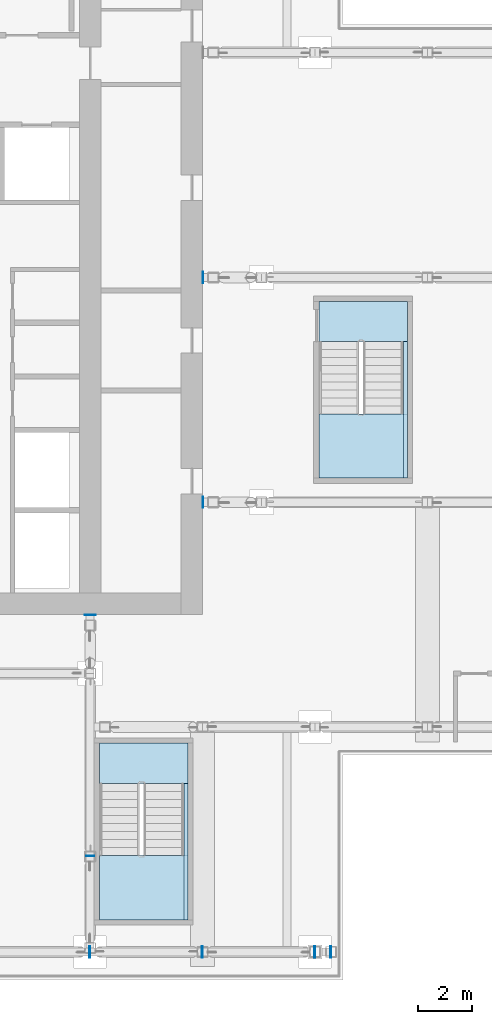
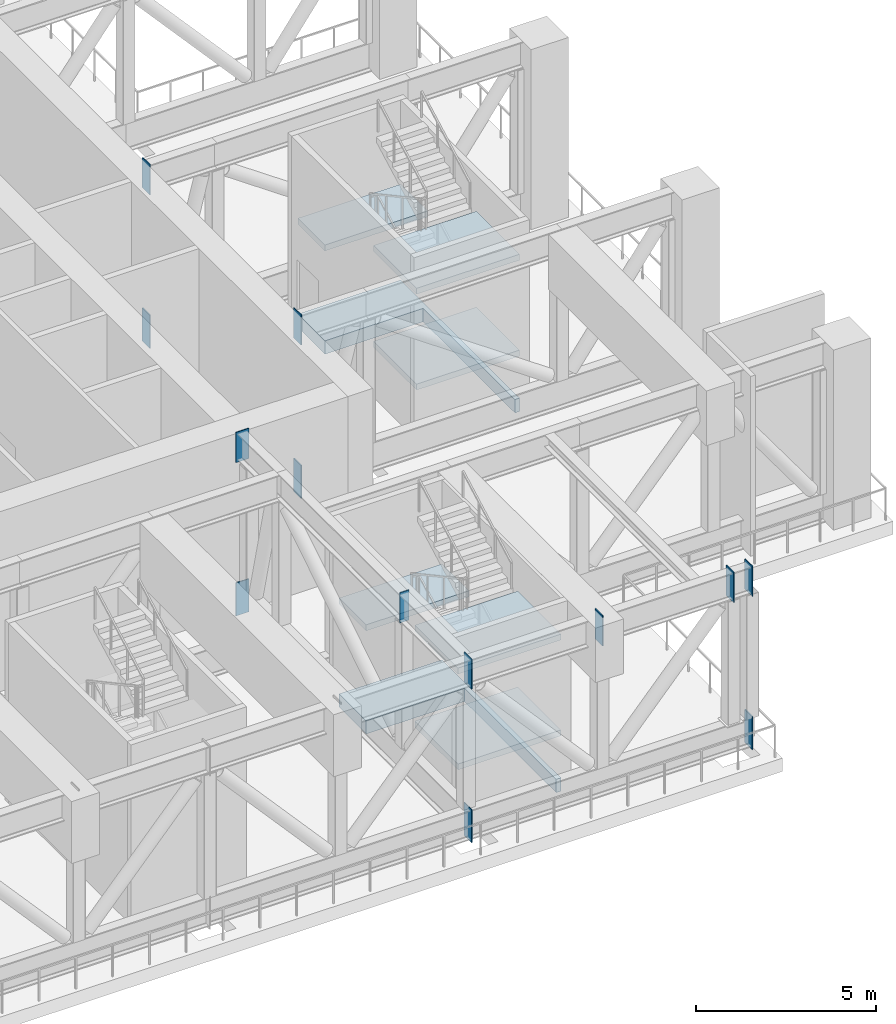
# One storey, part 8 of 23: 13 plates, 8 slabs, 2 elements without a shape of their own.
"""IFC4 building model written with IfcOpenShell, lengths in metres."""

from ifc_helpers import new_model, si_unit, direction, frame, origin, origin_2d, place, context, subcontext, project, spatial, polyline, rectangle, outline, extrude, material, layer, layer_set, type_object, element, aggregate, save


model = new_model("IFC4")

# Units and contexts
model_context = context("Model", 3, precision=1e-05, world=origin(), true_north=direction((0.0, 1.0)))
body_context = subcontext(model_context, "Body", "Model", "MODEL_VIEW")
ifc_project = project(units=[si_unit("LENGTHUNIT", "METRE"), si_unit("AREAUNIT", "SQUARE_METRE"), si_unit("VOLUMEUNIT", "CUBIC_METRE"), si_unit("PLANEANGLEUNIT", "RADIAN"), si_unit("MASSUNIT", "GRAM", prefix="KILO")], contexts=[model_context])

# Site, building, storey
site_placement = place(None, origin())
site = spatial("IfcSite", under=ifc_project, at=site_placement, CompositionType="ELEMENT")
building_placement = place(site_placement, origin())
building = spatial("IfcBuilding", under=site, at=building_placement, Name="Vermilion Ogive Tower", CompositionType="ELEMENT")
storey_placement = place(building_placement, frame((0.0, 0.0, 121.800048828125)))
storey = spatial("IfcBuildingStorey", under=building, at=storey_placement, Name="L31", CompositionType="ELEMENT", Elevation=121.800048828125)

# Plates
ifc_material_1 = material(Name="Steel S355", Category="steel")
ifc_layer_1 = layer(ifc_material_1, 0.030029296875)
ifc_layer_set_1 = layer_set([ifc_layer_1], Name="Cast-in embed plate 30")
plate_type_1 = type_object("IfcPlateType", Name="Cast-in embed plate 30", PredefinedType="USERDEFINED", material=ifc_layer_set_1)
plate_1_placement = place(storey_placement, frame((12.614990234375, -4.199951171875, -0.06005859375), z_axis=(0.0, 0.0, 1.0), x_axis=(1.0, 0.0, 0.0)))
element("IfcPlate", 1, at=plate_1_placement, inside=storey, type_object=plate_type_1, Name="Cast-in embed plate L31-TR-EWE-4.2-B1 end 1", ObjectType="EMBED PLATE", PredefinedType="USERDEFINED", context=body_context, shape_type="SweptSolid", body=[
    extrude(rectangle(XDim=0.030029296875, YDim=0.419921875, at=origin_2d()), origin(), (0.0, 0.0, 1.0), 1.1201171875),
])
plate_2_placement = place(storey_placement, frame((12.614990234375, -4.199951171875, 5.139892578125), z_axis=(0.0, 0.0, 1.0), x_axis=(1.0, 0.0, 0.0)))
element("IfcPlate", 2, at=plate_2_placement, inside=storey, type_object=plate_type_1, Name="Cast-in embed plate L31-TR-EWE-4.2-T3 end 1", ObjectType="EMBED PLATE", PredefinedType="USERDEFINED", context=body_context, shape_type="SweptSolid", body=[
    extrude(rectangle(XDim=0.030029296875, YDim=0.419921875, at=origin_2d()), origin(), (0.0, 0.0, 1.0), 1.02001953125),
])
plate_3_placement = place(storey_placement, frame((12.614990234375, 4.199951171875, -0.06005859375), z_axis=(0.0, 0.0, 1.0), x_axis=(1.0, 0.0, 0.0)))
element("IfcPlate", 3, at=plate_3_placement, inside=storey, type_object=plate_type_1, Name="Cast-in embed plate L31-TR-EWE+4.2-B1 end 1", ObjectType="EMBED PLATE", PredefinedType="USERDEFINED", context=body_context, shape_type="SweptSolid", body=[
    extrude(rectangle(XDim=0.030029296875, YDim=0.419921875, at=origin_2d()), origin(), (0.0, 0.0, 1.0), 1.1201171875),
])
plate_4_placement = place(storey_placement, frame((12.614990234375, 4.199951171875, 5.139892578125), z_axis=(0.0, 0.0, 1.0), x_axis=(1.0, 0.0, 0.0)))
element("IfcPlate", 4, at=plate_4_placement, inside=storey, type_object=plate_type_1, Name="Cast-in embed plate L31-TR-EWE+4.2-T3 end 1", ObjectType="EMBED PLATE", PredefinedType="USERDEFINED", context=body_context, shape_type="SweptSolid", body=[
    extrude(rectangle(XDim=0.030029296875, YDim=0.419921875, at=origin_2d()), origin(), (0.0, 0.0, 1.0), 1.02001953125),
])
plate_5_placement = place(storey_placement, frame((8.39990234375, -8.4150390625, -0.06005859375), z_axis=(0.0, 0.0, 1.0), x_axis=(1.0, 0.0, 0.0)))
element("IfcPlate", 5, at=plate_5_placement, inside=storey, type_object=plate_type_1, Name="Cast-in embed plate L31-TR-NS+8.4-B1 end 1", ObjectType="EMBED PLATE", PredefinedType="USERDEFINED", context=body_context, shape_type="SweptSolid", body=[
    extrude(rectangle(XDim=0.419921875, YDim=0.030029296875, at=origin_2d()), origin(), (0.0, 0.0, 1.0), 1.1201171875),
])
plate_6_placement = place(storey_placement, frame((8.39990234375, -8.4150390625, 5.139892578125), z_axis=(0.0, 0.0, 1.0), x_axis=(1.0, 0.0, 0.0)))
element("IfcPlate", 6, at=plate_6_placement, inside=storey, type_object=plate_type_1, Name="Cast-in embed plate L31-TR-NS+8.4-T3 end 1", ObjectType="EMBED PLATE", PredefinedType="USERDEFINED", context=body_context, shape_type="SweptSolid", body=[
    extrude(rectangle(XDim=0.419921875, YDim=0.030029296875, at=origin_2d()), origin(), (0.0, 0.0, 1.0), 1.02001953125),
])
plate_7_placement = place(storey_placement, frame((8.39990234375, -17.418212890625, 5.139892578125), z_axis=(0.0, 0.0, 1.0), x_axis=(1.0, 0.0, 0.0)))
element("IfcPlate", 7, at=plate_7_placement, inside=storey, type_object=plate_type_1, Name="Cast-in embed plate L31-TR-NS+8.4-T4 end 2", ObjectType="EMBED PLATE", PredefinedType="USERDEFINED", context=body_context, shape_type="SweptSolid", body=[
    extrude(rectangle(XDim=0.300048828125, YDim=0.030029296875, at=origin_2d()), origin(), (0.0, 0.0, 1.0), 1.02001953125),
])
ifc_material_2 = material(Name="Steel S355", Category="steel")
ifc_layer_2 = layer(ifc_material_2, 0.030029296875)
ifc_layer_set_2 = layer_set([ifc_layer_2], Name="Connection end plate 30")
plate_type_2 = type_object("IfcPlateType", Name="Connection end plate 30", PredefinedType="USERDEFINED", material=ifc_layer_set_2)
for number, where, z_axis, x_axis, name in (
    (8, (8.385009765625, -21.0, -0.06005859375), (0.0, 0.0, 1.0), (1.0, 0.0, 0.0), "End plate L31-TR-BELT-B4 end 2"),
    (9, (17.385009765625, -21.0, -0.06005859375), (0.0, 0.0, 1.0), (1.0, 0.0, 0.0), "End plate L31-TR-BELT-B5 end 2"),
):
    element("IfcPlate", number, at=place(storey_placement, frame(where, z_axis=z_axis, x_axis=x_axis)), inside=storey, type_object=plate_type_2, Name=name, ObjectType="END PLATE", PredefinedType="USERDEFINED", context=body_context, shape_type="SweptSolid", body=[
        extrude(rectangle(XDim=0.030029296875, YDim=0.419921875, at=origin_2d()), origin(), (0.0, 0.0, 1.0), 1.1201171875),
    ])
for number, where, z_axis, x_axis, name in (
    (10, (8.385009765625, -21.0, 5.139892578125), (0.0, 0.0, 1.0), (1.0, 0.0, 0.0), "End plate L31-TR-BELT-T12 end 2"),
    (11, (12.5849609375, -21.0, 5.139892578125), (0.0, 0.0, 1.0), (1.0, 0.0, 0.0), "End plate L31-TR-BELT-T13 end 2"),
    (12, (16.784912109375, -21.0, 5.139892578125), (0.0, 0.0, 1.0), (1.0, 0.0, 0.0), "End plate L31-TR-BELT-T14 end 2"),
    (13, (17.385009765625, -21.0, 5.139892578125), (0.0, 0.0, 1.0), (1.0, 0.0, 0.0), "End plate L31-TR-BELT-T15 end 2"),
):
    element("IfcPlate", number, at=place(storey_placement, frame(where, z_axis=z_axis, x_axis=x_axis)), inside=storey, type_object=plate_type_2, Name=name, ObjectType="END PLATE", PredefinedType="USERDEFINED", context=body_context, shape_type="SweptSolid", body=[
        extrude(rectangle(XDim=0.030029296875, YDim=0.419921875, at=origin_2d()), origin(), (0.0, 0.0, 1.0), 1.02001953125),
    ])

# Slabs
ifc_material_3 = material(Name="Concrete B40", Category="concrete")
ifc_layer_3 = layer(ifc_material_3, 0.449951171875)
ifc_layer_set_3 = layer_set([ifc_layer_3], Name="Core floor slab 450 B40")
slab_type_1 = type_object("IfcSlabType", Name="Core floor slab 450 B40", PredefinedType="FLOOR", material=ifc_layer_set_3)
slab_1_placement = place(storey_placement, frame((0.0, 0.0, -0.449951171875)))
element("IfcSlab", 14, at=slab_1_placement, inside=storey, type_object=slab_type_1, Name="L31-SF-ST5-1", PredefinedType="FLOOR", context=body_context, shape_type="SweptSolid", body=[
    extrude(outline(polyline([(8.75, -13.199951171875), (8.75, -14.701904296875), (10.25, -14.701904296875), (10.25, -14.699951171875), (10.39990234375, -14.699951171875), (10.39990234375, -14.701904296875), (11.89990234375, -14.701904296875), (11.89990234375, -19.800048828125), (12.050048828125, -19.800048828125), (12.050048828125, -13.199951171875), (8.75, -13.199951171875)])), origin(), (0.0, 0.0, 1.0), 0.449951171875),
])
slab_2_placement = place(storey_placement, frame((0.0, 0.0, -0.449951171875)))
element("IfcSlab", 15, at=slab_2_placement, inside=storey, type_object=slab_type_1, Name="L31-SF-ST8-1", PredefinedType="FLOOR", context=body_context, shape_type="SweptSolid", body=[
    extrude(outline(polyline([(16.949951171875, 3.300048828125), (16.949951171875, 1.798095703125), (18.449951171875, 1.798095703125), (18.449951171875, 1.800048828125), (18.60009765625, 1.800048828125), (18.60009765625, 1.798095703125), (20.10009765625, 1.798095703125), (20.10009765625, -3.300048828125), (20.25, -3.300048828125), (20.25, 3.300048828125), (16.949951171875, 3.300048828125)])), origin(), (0.0, 0.0, 1.0), 0.449951171875),
])

# Stair, slabs
ifc_material_4 = material(Name="Concrete B40", Category="concrete")
stair_type = type_object("IfcStairType", Name="Exit stair 1500", PredefinedType="HALF_TURN_STAIR", material=ifc_material_4)
stair_1_placement = place(storey_placement, origin())
stair_1 = element("IfcStair", 16, at=stair_1_placement, inside=storey, type_object=stair_type, Name="L31 Exit Stair ST5", PredefinedType="HALF_TURN_STAIR")
ifc_material_5 = material(Name="Concrete B40", Category="concrete")
ifc_layer_4 = layer(ifc_material_5, 0.199951171875)
ifc_layer_set_4 = layer_set([ifc_layer_4], Name="Stair landing 200")
slab_type_2 = type_object("IfcSlabType", Name="Stair landing 200", PredefinedType="LANDING", material=ifc_layer_set_4)
slab_3_placement = place(storey_placement, frame((0.0, 0.0, 1.425048828125)))
slab_3 = element("IfcSlab", 17, at=slab_3_placement, type_object=slab_type_2, Name="ST5 landing 1", PredefinedType="LANDING", context=body_context, shape_type="SweptSolid", body=[
    extrude(outline(polyline([(12.050048828125, -17.39990234375), (11.89990234375, -17.39990234375), (11.89990234375, -17.39794921875), (10.39990234375, -17.39794921875), (10.39990234375, -17.39990234375), (10.25, -17.39990234375), (10.25, -17.39794921875), (8.75, -17.39794921875), (8.75, -19.800048828125), (12.050048828125, -19.800048828125), (12.050048828125, -17.39990234375)])), origin(), (0.0, 0.0, 1.0), 0.199951171875),
])
slab_4_placement = place(storey_placement, frame((0.0, 0.0, 3.050048828125)))
slab_4 = element("IfcSlab", 18, at=slab_4_placement, type_object=slab_type_2, Name="ST5 landing 2", PredefinedType="LANDING", context=body_context, shape_type="SweptSolid", body=[
    extrude(outline(polyline([(8.75, -13.199951171875), (8.75, -14.701904296875), (10.25, -14.701904296875), (10.25, -14.699951171875), (10.39990234375, -14.699951171875), (10.39990234375, -14.701904296875), (11.89990234375, -14.701904296875), (11.89990234375, -14.699951171875), (12.050048828125, -14.699951171875), (12.050048828125, -13.199951171875), (8.75, -13.199951171875)])), origin(), (0.0, 0.0, 1.0), 0.199951171875),
])
slab_5_placement = place(storey_placement, frame((0.0, 0.0, 4.675048828125)))
slab_5 = element("IfcSlab", 19, at=slab_5_placement, type_object=slab_type_2, Name="ST5 landing 3", PredefinedType="LANDING", context=body_context, shape_type="SweptSolid", body=[
    extrude(outline(polyline([(12.050048828125, -17.39990234375), (11.89990234375, -17.39990234375), (11.89990234375, -17.39794921875), (10.39990234375, -17.39794921875), (10.39990234375, -17.39990234375), (10.25, -17.39990234375), (10.25, -17.39794921875), (8.75, -17.39794921875), (8.75, -19.800048828125), (12.050048828125, -19.800048828125), (12.050048828125, -17.39990234375)])), origin(), (0.0, 0.0, 1.0), 0.199951171875),
])
aggregate(stair_1, [slab_3, slab_4, slab_5])

stair_2_placement = place(storey_placement, origin())
stair_2 = element("IfcStair", 20, at=stair_2_placement, inside=storey, type_object=stair_type, Name="L31 Exit Stair ST8", PredefinedType="HALF_TURN_STAIR")
slab_6_placement = place(storey_placement, frame((0.0, 0.0, 1.425048828125)))
slab_6 = element("IfcSlab", 21, at=slab_6_placement, type_object=slab_type_2, Name="ST8 landing 1", PredefinedType="LANDING", context=body_context, shape_type="SweptSolid", body=[
    extrude(outline(polyline([(20.25, -0.89990234375), (20.10009765625, -0.89990234375), (20.10009765625, -0.89794921875), (18.60009765625, -0.89794921875), (18.60009765625, -0.89990234375), (18.449951171875, -0.89990234375), (18.449951171875, -0.89794921875), (16.949951171875, -0.89794921875), (16.949951171875, -3.300048828125), (20.25, -3.300048828125), (20.25, -0.89990234375)])), origin(), (0.0, 0.0, 1.0), 0.199951171875),
])
slab_7_placement = place(storey_placement, frame((0.0, 0.0, 3.050048828125)))
slab_7 = element("IfcSlab", 22, at=slab_7_placement, type_object=slab_type_2, Name="ST8 landing 2", PredefinedType="LANDING", context=body_context, shape_type="SweptSolid", body=[
    extrude(outline(polyline([(16.949951171875, 3.300048828125), (16.949951171875, 1.798095703125), (18.449951171875, 1.798095703125), (18.449951171875, 1.800048828125), (18.60009765625, 1.800048828125), (18.60009765625, 1.798095703125), (20.10009765625, 1.798095703125), (20.10009765625, 1.800048828125), (20.25, 1.800048828125), (20.25, 3.300048828125), (16.949951171875, 3.300048828125)])), origin(), (0.0, 0.0, 1.0), 0.199951171875),
])
slab_8_placement = place(storey_placement, frame((0.0, 0.0, 4.675048828125)))
slab_8 = element("IfcSlab", 23, at=slab_8_placement, type_object=slab_type_2, Name="ST8 landing 3", PredefinedType="LANDING", context=body_context, shape_type="SweptSolid", body=[
    extrude(outline(polyline([(20.25, -0.89990234375), (20.10009765625, -0.89990234375), (20.10009765625, -0.89794921875), (18.60009765625, -0.89794921875), (18.60009765625, -0.89990234375), (18.449951171875, -0.89990234375), (18.449951171875, -0.89794921875), (16.949951171875, -0.89794921875), (16.949951171875, -3.300048828125), (20.25, -3.300048828125), (20.25, -0.89990234375)])), origin(), (0.0, 0.0, 1.0), 0.199951171875),
])
aggregate(stair_2, [slab_6, slab_7, slab_8])

save(model, "model.ifc")
